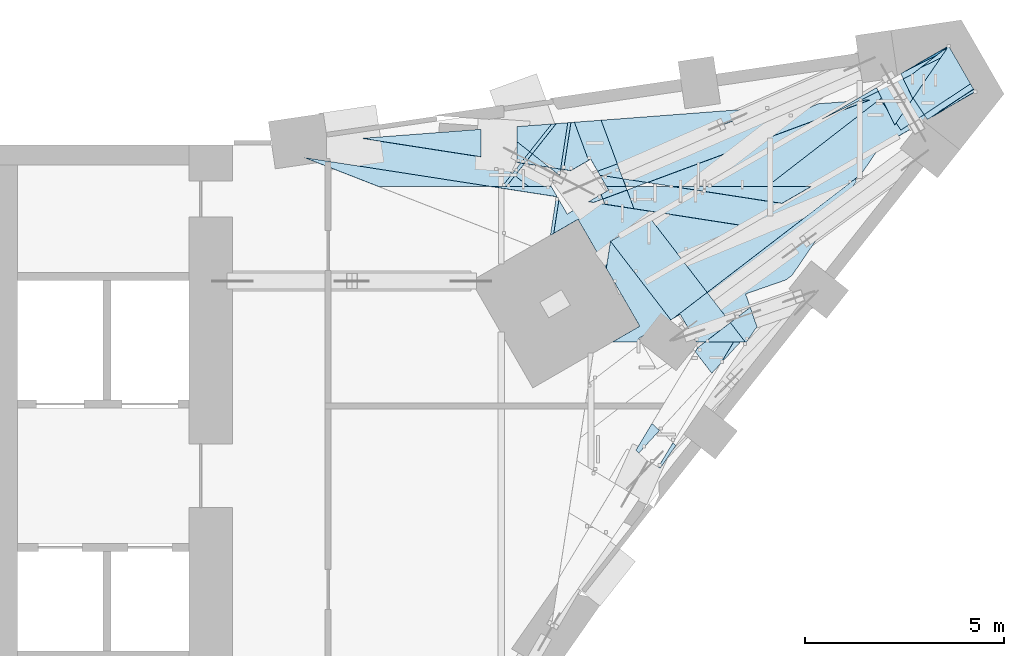
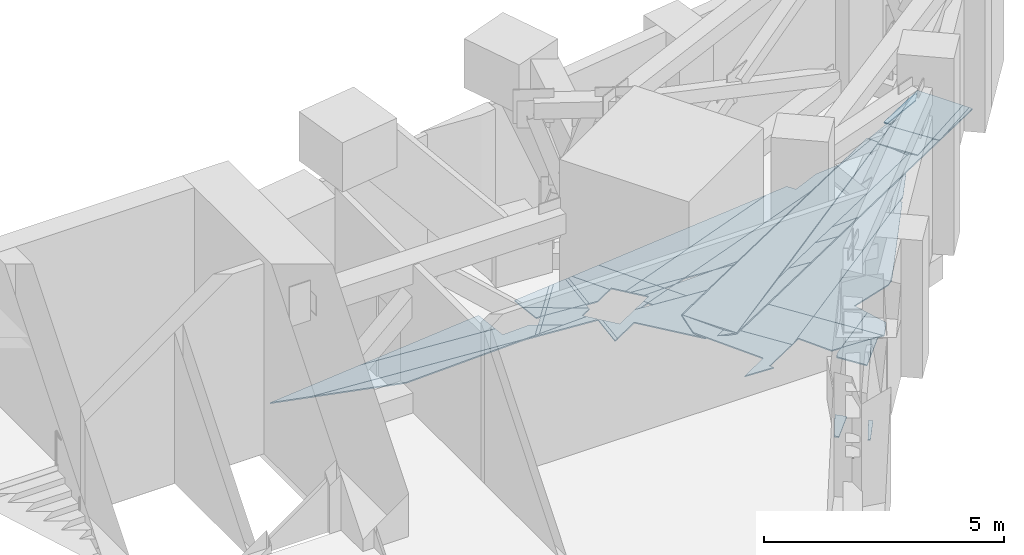
# One storey, part 8 of 22: 53 plates.
"""IFC4 building model written with IfcOpenShell, lengths in metres."""

from ifc_helpers import new_model, si_unit, direction, frame, origin, place, context, subcontext, project, spatial, polyline, outline, extrude, material, layer, layer_set, type_object, element, save


model = new_model("IFC4")

# Units and contexts
model_context = context("Model", 3, precision=1e-05, world=origin(), true_north=direction((0.0, 1.0)))
body_context = subcontext(model_context, "Body", "Model", "MODEL_VIEW")
ifc_project = project(units=[si_unit("LENGTHUNIT", "METRE"), si_unit("AREAUNIT", "SQUARE_METRE"), si_unit("VOLUMEUNIT", "CUBIC_METRE"), si_unit("PLANEANGLEUNIT", "RADIAN"), si_unit("MASSUNIT", "GRAM", prefix="KILO")], contexts=[model_context])

# Site, building, storey
site_placement = place(None, origin())
site = spatial("IfcSite", under=ifc_project, at=site_placement, CompositionType="ELEMENT")
building_placement = place(site_placement, origin())
building = spatial("IfcBuilding", under=site, at=building_placement, Name="Calabash Gate Tower", CompositionType="ELEMENT")
storey_placement = place(building_placement, frame((0.0, 0.0, 86.800048828125)))
storey = spatial("IfcBuildingStorey", under=building, at=storey_placement, Name="L18", CompositionType="ELEMENT", Elevation=86.800048828125)

# Plates
ifc_material_1 = material(Name="Dark tinted laminated glass", Category="glass")
ifc_layer_1 = layer(ifc_material_1, 0.030029296875)
ifc_layer_set_1 = layer_set([ifc_layer_1], Name="Dark glass soffit plate 30")
plate_type_1 = type_object("IfcPlateType", Name="Dark glass soffit plate 30", PredefinedType="SHEET", material=ifc_layer_set_1)
plate_1_placement = place(storey_placement, frame((33.780029296875, 18.318115234375, -0.990966796875), z_axis=(0.040025968743, -0.018386784747, 0.999029453006), x_axis=(-0.793096971147, -0.608747900837, 0.02057152359)))
element("IfcPlate", 1, at=plate_1_placement, inside=storey, type_object=plate_type_1, Name="Dark glass soffit SOF-Z2-NE-01", PredefinedType="SHEET", context=body_context, shape_type="SweptSolid", body=[
    extrude(outline(polyline([(0.0, 0.0), (4.870849609375, 0.0), (4.87255859375, -2.348876953125), (-1.135986328125, -1.55615234375), (-1.62548828125, -1.45654296875), (-1.42529296875, -0.468017578125), (0.0, 0.0)])), origin(), (0.0, 0.0, -1.0), 0.030029296875),
])
plate_2_placement = place(storey_placement, frame((36.64697265625, 20.39111328125, -1.02001953125), z_axis=(-0.035488038065, 0.112131555327, 0.993059471258), x_axis=(-0.865728230395, -0.499864129999, 0.025504561094)))
element("IfcPlate", 2, at=plate_2_placement, inside=storey, type_object=plate_type_1, Name="Dark glass soffit SOF-Z2-NE-02", PredefinedType="SHEET", context=body_context, shape_type="SweptSolid", body=[
    extrude(outline(polyline([(0.0, 0.0), (4.761474609375, 0.0), (7.745849609375, -1.737060546875), (8.26611328125, -2.15869140625), (2.377685546875, -1.15087890625), (0.0, 0.0)])), origin(), (0.0, 0.0, -1.0), 0.030029296875),
])
plate_3_placement = place(storey_placement, frame((32.77294921875, 19.68896484375, -0.926025390625), z_axis=(0.021818760042, 0.013154446736, 0.999675398438), x_axis=(0.895376574315, 0.444585211199, -0.025392521555)))
element("IfcPlate", 3, at=plate_3_placement, inside=storey, type_object=plate_type_1, Name="Dark glass soffit SOF-Z2-NE-03", PredefinedType="SHEET", context=body_context, shape_type="SweptSolid", body=[
    extrude(outline(polyline([(0.0, 0.0), (1.61279296875, 0.0), (1.612548828125, -0.18505859375), (-6.009521484375, -1.70849609375), (-6.0927734375, -0.38330078125), (0.0, 0.0)])), origin(), (0.0, 0.0, -1.0), 0.030029296875),
])
plate_4_placement = place(storey_placement, frame((28.152099609375, 15.487060546875, -0.77001953125), z_axis=(-0.035440927832, 0.112432057807, 0.993027176371), x_axis=(-0.929502553598, 0.361299140722, -0.074080589683)))
element("IfcPlate", 4, at=plate_4_placement, inside=storey, type_object=plate_type_1, Name="Dark glass soffit SOF-Z2-NE-04", PredefinedType="SHEET", context=body_context, shape_type="SweptSolid", body=[
    extrude(outline(polyline([(0.0, 0.0), (0.6865234375, 0.0), (2.00732421875, -1.05615234375), (2.44580078125, -0.504638671875), (2.636474609375, -1.342041015625), (2.309326171875, -1.079833984375), (1.92138671875, -1.568359375), (-1.922607421875, -2.41845703125), (0.0, 0.0)])), origin(), (0.0, 0.0, -1.0), 0.030029296875),
])
plate_5_placement = place(storey_placement, frame((32.073974609375, 19.81494140625, -1.119140625), z_axis=(-0.035375061612, 0.11181288547, 0.993099432916), x_axis=(0.916518182792, 0.399801815531, -0.012366442895)))
element("IfcPlate", 5, at=plate_5_placement, inside=storey, type_object=plate_type_1, Name="Dark glass soffit SOF-Z2-NE-05", PredefinedType="SHEET", context=body_context, shape_type="SweptSolid", body=[
    extrude(outline(polyline([(0.0, 0.0), (0.69287109375, 0.0), (1.927978515625, -0.43408203125), (-4.036376953125, -0.096923828125), (-4.560791015625, 0.238037109375), (-4.537841796875, 0.637939453125), (-0.466796875, 0.407470703125), (0.000244140625, 0.243896484375), (0.0, 0.0)])), origin(), (0.0, 0.0, -1.0), 0.030029296875),
])
plate_6_placement = place(storey_placement, frame((24.241943359375, 18.759033203125, -1.279052734375), z_axis=(-0.035624847168, 0.111511659327, 0.993124372925), x_axis=(-5.0580191e-05, -0.99375537517, 0.111580696195)))
element("IfcPlate", 6, at=plate_6_placement, inside=storey, type_object=plate_type_1, Name="Dark glass soffit SOF-Z2-NE-07", PredefinedType="SHEET", context=body_context, shape_type="SweptSolid", body=[
    extrude(outline(polyline([(0.0, 0.0), (0.30810546875, 0.0), (0.310546875, 0.638427734375), (0.4267578125, 0.783447265625), (0.7548828125, 0.525634765625), (0.753662109375, 0.25830078125), (0.003662109375, -4.436767578125), (-0.31640625, -5.245361328125), (-0.478759765625, -2.995849609375), (0.0, 0.0)])), origin(), (0.0, 0.0, -1.0), 0.030029296875),
])
plate_7_placement = place(storey_placement, frame((33.633056640625, 18.19091796875, -0.988037109375), z_axis=(0.040584423811, -0.019107182046, 0.998993403451), x_axis=(0.584660520504, -0.810327994063, -0.039250704473)))
element("IfcPlate", 7, at=plate_7_placement, inside=storey, type_object=plate_type_1, Name="Dark glass soffit SOF-Z2-NE-08", PredefinedType="SHEET", context=body_context, shape_type="SweptSolid", body=[
    extrude(outline(polyline([(0.0, 0.0), (0.052978515625, 0.0), (1.02197265625, -2.688720703125), (1.027587890625, -2.8876953125), (0.719970703125, -3.91455078125), (1.06005859375, -4.015869140625), (1.078369140625, -4.646240234375), (0.123291015625, -4.675048828125), (-0.01708984375, 0.193603515625), (0.0, 0.0)])), origin(), (0.0, 0.0, -1.0), 0.030029296875),
])
plate_8_placement = place(storey_placement, frame((29.00390625, 14.6650390625, -0.866943359375), z_axis=(0.04005432783, -0.018506483214, 0.999026106216), x_axis=(-0.608555141672, 0.792548638904, 0.039080615598)))
element("IfcPlate", 8, at=plate_8_placement, inside=storey, type_object=plate_type_1, Name="Dark glass soffit SOF-Z2-NE-10", PredefinedType="SHEET", context=body_context, shape_type="SweptSolid", body=[
    extrude(outline(polyline([(0.0, 0.0), (2.4892578125, 0.0), (2.337646484375, -1.14404296875), (-0.01123046875, -1.1435546875), (-0.010009765625, -0.08203125), (0.0, 0.0)])), origin(), (0.0, 0.0, -1.0), 0.030029296875),
])
plate_9_placement = place(storey_placement, frame((31.48388671875, 19.9990234375, -1.16015625), z_axis=(-0.03549200787, 0.111933902523, 0.993081627483), x_axis=(-0.937570259475, -0.347749413566, 0.005688049981)))
element("IfcPlate", 9, at=plate_9_placement, inside=storey, type_object=plate_type_1, Name="Dark glass soffit SOF-Z2-NE-11", PredefinedType="SHEET", context=body_context, shape_type="SweptSolid", body=[
    extrude(outline(polyline([(0.0, 0.0), (4.07763671875, 0.0), (4.076904296875, -1.17822265625), (0.0, 0.0)])), origin(), (0.0, 0.0, -1.0), 0.030029296875),
])
plate_10_placement = place(storey_placement, frame((28.077880859375, 17.45703125, -0.9951171875), z_axis=(-0.035548680524, 0.111777299006, 0.993097239317), x_axis=(-0.345776937719, 0.930973305556, -0.117162339021)))
element("IfcPlate", 10, at=plate_10_placement, inside=storey, type_object=plate_type_1, Name="Dark glass soffit SOF-Z2-NE-12", PredefinedType="SHEET", context=body_context, shape_type="SweptSolid", body=[
    extrude(outline(polyline([(0.0, 0.0), (0.502685546875, 0.0), (0.502685546875, -0.247314453125), (0.17431640625, -1.126708984375), (-1.17529296875, -3.53076171875), (-1.3642578125, -2.4287109375), (0.0, 0.0)])), origin(), (0.0, 0.0, -1.0), 0.030029296875),
])
plate_11_placement = place(storey_placement, frame((28.201904296875, 14.202880859375, -0.843994140625), z_axis=(0.039909885637, -0.01853964478, 0.999031272083), x_axis=(0.500497978465, -0.864986958711, -0.036046287081)))
element("IfcPlate", 11, at=plate_11_placement, inside=storey, type_object=plate_type_1, Name="Dark glass soffit SOF-Z2-NE-14", PredefinedType="SHEET", context=body_context, shape_type="SweptSolid", body=[
    extrude(outline(polyline([(0.0, 0.0), (0.103759765625, 0.0), (-0.25244140625, -0.61474609375), (-0.251220703125, 0.171142578125), (-1.932373046875, 0.172607421875), (-2.4658203125, 0.602783203125), (0.00244140625, 0.926025390625), (0.0, 0.0)])), origin(), (0.0, 0.0, -1.0), 0.030029296875),
])
plate_12_placement = place(storey_placement, frame((35.98193359375, 21.5419921875, -1.02001953125), z_axis=(0.021866863905, 0.012961336901, 0.999676869798), x_axis=(0.500146564627, -0.865940720491, 0.000287205358)))
element("IfcPlate", 12, at=plate_12_placement, inside=storey, type_object=plate_type_1, Name="Dark glass soffit SOF-Z2-NE-15", PredefinedType="SHEET", context=body_context, shape_type="SweptSolid", body=[
    extrude(outline(polyline([(0.0, 0.0), (1.095947265625, 0.0), (1.183349609375, -1.398681640625), (0.198486328125, -1.46044921875), (0.0, 0.0)])), origin(), (0.0, 0.0, -1.0), 0.030029296875),
])
plate_13_placement = place(storey_placement, frame((24.241943359375, 19.449951171875, -1.35693359375), z_axis=(-0.035699011793, 0.111940088282, 0.993073510468), x_axis=(0.0, -0.993706912041, 0.112011485845)))
element("IfcPlate", 13, at=plate_13_placement, inside=storey, type_object=plate_type_1, Name="Dark glass soffit SOF-Z2-NE-18", PredefinedType="SHEET", context=body_context, shape_type="SweptSolid", body=[
    extrude(outline(polyline([(0.0, 0.0), (0.6953125, 0.0), (0.216552734375, -2.995849609375), (0.0, 0.0)])), origin(), (0.0, 0.0, -1.0), 0.030029296875),
])
plate_14_placement = place(storey_placement, frame((21.673095703125, 18.010986328125, -1.287109375), z_axis=(-0.035505394232, 0.112332550604, 0.993036134818), x_axis=(-0.929136516857, 0.362216068491, -0.074194695023)))
element("IfcPlate", 14, at=plate_14_placement, inside=storey, type_object=plate_type_1, Name="Dark glass soffit SOF-Z2-NE-19", PredefinedType="SHEET", context=body_context, shape_type="SweptSolid", body=[
    extrude(outline(polyline([(0.0, 0.0), (2.00732421875, 0.0), (-2.634033203125, -1.03125), (0.0, 0.0)])), origin(), (0.0, 0.0, -1.0), 0.030029296875),
])
plate_15_placement = place(storey_placement, frame((26.991943359375, 18.700927734375, -1.174072265625), z_axis=(-0.035898561858, 0.111986616028, 0.993061071177), x_axis=(-0.867288699419, -0.497191549549, 0.024715883887)))
element("IfcPlate", 15, at=plate_15_placement, inside=storey, type_object=plate_type_1, Name="Dark glass soffit SOF-Z2-NE-23", PredefinedType="SHEET", context=body_context, shape_type="SweptSolid", body=[
    extrude(outline(polyline([(0.0, 0.0), (0.062255859375, 0.0), (-0.109130859375, -1.014404296875), (-0.715576171875, -0.72216796875), (-0.51953125, 0.439453125), (0.000732421875, 0.351806640625), (0.0, 0.0)])), origin(), (0.0, 0.0, -1.0), 0.030029296875),
])
plate_16_placement = place(storey_placement, frame((31.794921875, 17.590087890625, -0.876953125), z_axis=(-0.0353323479, 0.113687089055, 0.992888146255), x_axis=(-0.986878332594, 0.152658433862, -0.052598091481)))
element("IfcPlate", 16, at=plate_16_placement, inside=storey, type_object=plate_type_1, Name="Dark glass soffit SOF-Z2-NE-24", PredefinedType="SHEET", context=body_context, shape_type="SweptSolid", body=[
    extrude(outline(polyline([(0.0, 0.0), (2.757080078125, 0.0), (-0.655029296875, -0.530517578125), (0.0, 0.0)])), origin(), (0.0, 0.0, -1.0), 0.030029296875),
])
plate_17_placement = place(storey_placement, frame((34.81689453125, 20.639892578125, -0.983154296875), z_axis=(0.021805589913, 0.012658799179, 0.999682084991), x_axis=(0.553488633393, -0.832855330741, -0.00152668314)))
element("IfcPlate", 17, at=plate_17_placement, inside=storey, type_object=plate_type_1, Name="Dark glass soffit SOF-Z2-NE-25", PredefinedType="SHEET", context=body_context, shape_type="SweptSolid", body=[
    extrude(outline(polyline([(0.0, 0.0), (0.98681640625, 0.0), (0.986572265625, -0.7001953125), (0.050048828125, -0.699951171875), (0.0, 0.0)])), origin(), (0.0, 0.0, -1.0), 0.030029296875),
])
plate_18_placement = place(storey_placement, frame((26.4169921875, 19.614990234375, -1.298095703125), z_axis=(-0.035475049494, 0.112183149837, 0.993054108171), x_axis=(-0.151787548489, -0.982756181336, 0.105597481835)))
element("IfcPlate", 18, at=plate_18_placement, inside=storey, type_object=plate_type_1, Name="Dark glass soffit SOF-Z2-NE-26", PredefinedType="SHEET", context=body_context, shape_type="SweptSolid", body=[
    extrude(outline(polyline([(0.0, 0.0), (1.185546875, 0.0), (1.18359375, -0.285888671875), (0.907958984375, -0.763671875), (0.065185546875, -0.28564453125), (0.0, 0.0)])), origin(), (0.0, 0.0, -1.0), 0.030029296875),
])
plate_19_placement = place(storey_placement, frame((34.6259765625, 19.556884765625, -1.001953125), z_axis=(0.039658207557, -0.018377920754, 0.999044282603), x_axis=(-0.438117022502, 0.898277903033, 0.033915829878)))
element("IfcPlate", 19, at=plate_19_placement, inside=storey, type_object=plate_type_1, Name="Dark glass soffit SOF-Z2-NE-27", PredefinedType="SHEET", context=body_context, shape_type="SweptSolid", body=[
    extrude(outline(polyline([(0.0, 0.0), (1.008544921875, 0.0), (1.00830078125, -0.7001953125), (0.397705078125, -0.700927734375), (0.0, 0.0)])), origin(), (0.0, 0.0, -1.0), 0.030029296875),
])
plate_20_placement = place(storey_placement, frame((25.955078125, 18.493896484375, -1.18798828125), z_axis=(-0.03575466658, 0.111402290468, 0.993131981912), x_axis=(0.780988785897, -0.616916260324, 0.097318261651)))
element("IfcPlate", 20, at=plate_20_placement, inside=storey, type_object=plate_type_1, Name="Dark glass soffit SOF-Z2-NE-32", PredefinedType="SHEET", context=body_context, shape_type="SweptSolid", body=[
    extrude(outline(polyline([(0.0, 0.0), (0.328857421875, 0.0), (0.35107421875, -0.038818359375), (0.244140625, -0.310791015625), (0.341552734375, -0.349365234375), (-0.1025390625, -0.700927734375), (-0.548095703125, -0.700927734375), (-0.5498046875, -0.310546875), (0.0, 0.0)])), origin(), (0.0, 0.0, -1.0), 0.030029296875),
])
plate_21_placement = place(storey_placement, frame((30.5830078125, 14.113037109375, -0.941162109375), z_axis=(0.04045017056, -0.018641393124, 0.999007648701), x_axis=(-0.515665476802, -0.856776040324, 0.004892112196)))
element("IfcPlate", 21, at=plate_21_placement, inside=storey, type_object=plate_type_1, Name="Dark glass soffit SOF-Z2-NE-33", PredefinedType="SHEET", context=body_context, shape_type="SweptSolid", body=[
    extrude(outline(polyline([(0.0, 0.0), (0.64208984375, 0.0), (0.959716796875, -0.064453125), (0.7099609375, -0.700927734375), (0.5947265625, -0.701416015625), (0.36767578125, -0.611328125), (0.0, 0.0)])), origin(), (0.0, 0.0, -1.0), 0.030029296875),
])
plate_22_placement = place(storey_placement, frame((26.489990234375, 18.410888671875, -1.16015625), z_axis=(-0.034535767998, 0.11185228509, 0.993124537532), x_axis=(-0.98650966073, 0.15529288109, -0.051795852821)))
element("IfcPlate", 22, at=plate_22_placement, inside=storey, type_object=plate_type_1, Name="Dark glass soffit SOF-Z2-NE-34", PredefinedType="SHEET", context=body_context, shape_type="SweptSolid", body=[
    extrude(outline(polyline([(0.0, 0.0), (0.180419921875, 0.0), (0.18994140625, -1.202880859375), (0.104248046875, -1.223388671875), (-0.401123046875, -0.327392578125), (0.0, 0.0)])), origin(), (0.0, 0.0, -1.0), 0.030029296875),
])
plate_23_placement = place(storey_placement, frame((26.012939453125, 19.583984375, -1.30908203125), z_axis=(-0.035846495361, 0.112380889439, 0.993018410937), x_axis=(-0.619612500318, -0.782115778841, 0.066145732576)))
element("IfcPlate", 23, at=plate_23_placement, inside=storey, type_object=plate_type_1, Name="Dark glass soffit SOF-Z2-NE-36", PredefinedType="SHEET", context=body_context, shape_type="SweptSolid", body=[
    extrude(outline(polyline([(0.0, 0.0), (0.892333984375, 0.0), (0.8896484375, -0.407470703125), (0.589599609375, -0.644775390625), (0.0, 0.0)])), origin(), (0.0, 0.0, -1.0), 0.030029296875),
])
plate_24_placement = place(storey_placement, frame((35.0810546875, 20.221923828125, -1.008056640625), z_axis=(0.040231018824, -0.01859324603, 0.999017395407), x_axis=(-0.439093752166, 0.897782762854, 0.034391678221)))
element("IfcPlate", 24, at=plate_24_placement, inside=storey, type_object=plate_type_1, Name="Dark glass soffit SOF-Z2-NE-37", PredefinedType="SHEET", context=body_context, shape_type="SweptSolid", body=[
    extrude(outline(polyline([(0.0, 0.0), (0.610595703125, 0.0), (0.608642578125, -1.07177734375), (0.0, 0.0)])), origin(), (0.0, 0.0, -1.0), 0.030029296875),
])
plate_25_placement = place(storey_placement, frame((31.1669921875, 14.492919921875, -0.95703125), z_axis=(0.039563789347, -0.017652616831, 0.999061105084), x_axis=(-0.56330588667, -0.826212472836, 0.007708941119)))
element("IfcPlate", 25, at=plate_25_placement, inside=storey, type_object=plate_type_1, Name="Dark glass soffit SOF-Z2-NE-38", PredefinedType="SHEET", context=body_context, shape_type="SweptSolid", body=[
    extrude(outline(polyline([(0.0, 0.0), (0.459716796875, 0.0), (0.48193359375, -0.0322265625), (0.291259765625, -0.610595703125), (-0.3076171875, -0.41357421875), (0.0, 0.0)])), origin(), (0.0, 0.0, -1.0), 0.030029296875),
])
plate_26_placement = place(storey_placement, frame((29.8701171875, 14.113037109375, -0.912109375), z_axis=(0.040049825419, -0.017307408248, 0.99904777919), x_axis=(0.792971278669, 0.608888660407, -0.021240302107)))
element("IfcPlate", 26, at=plate_26_placement, inside=storey, type_object=plate_type_1, Name="Dark glass soffit SOF-Z2-NE-39", PredefinedType="SHEET", context=body_context, shape_type="SweptSolid", body=[
    extrude(outline(polyline([(0.0, 0.0), (0.793212890625, 0.0), (0.79296875, -0.608642578125), (0.0, 0.0)])), origin(), (0.0, 0.0, -1.0), 0.030029296875),
])
plate_27_placement = place(storey_placement, frame((36.60693359375, 20.4580078125, -1.02001953125), z_axis=(0.022328987722, 0.012202322385, 0.999676207397), x_axis=(-0.832802379852, -0.552989595277, 0.025351600093)))
element("IfcPlate", 27, at=plate_27_placement, inside=storey, type_object=plate_type_1, Name="Dark glass soffit SOF-Z2-NE-40", PredefinedType="SHEET", context=body_context, shape_type="SweptSolid", body=[
    extrude(outline(polyline([(0.0, 0.0), (1.251220703125, 0.0), (1.390625, -0.008544921875), (1.390625, -0.155029296875), (-0.010498046875, -0.155029296875), (0.0, 0.0)])), origin(), (0.0, 0.0, -1.0), 0.030029296875),
])
plate_28_placement = place(storey_placement, frame((27.345947265625, 17.570068359375, -1.033935546875), z_axis=(-0.035249265248, 0.11142907698, 0.993147043545), x_axis=(-0.3433470898, 0.931924399006, -0.116746265309)))
element("IfcPlate", 28, at=plate_28_placement, inside=storey, type_object=plate_type_1, Name="Dark glass soffit SOF-Z2-NE-41", PredefinedType="SHEET", context=body_context, shape_type="SweptSolid", body=[
    extrude(outline(polyline([(0.0, 0.0), (0.139404296875, 0.0), (0.1416015625, -0.646484375), (-0.361083984375, -0.647705078125), (0.0, 0.0)])), origin(), (0.0, 0.0, -1.0), 0.030029296875),
])
plate_29_placement = place(storey_placement, frame((26.00390625, 18.010986328125, -1.132080078125), z_axis=(-0.035596731494, 0.112107515888, 0.993058295161), x_axis=(0.497169666231, -0.860010616291, 0.11490893284)))
element("IfcPlate", 29, at=plate_29_placement, inside=storey, type_object=plate_type_1, Name="Dark glass soffit SOF-Z2-NE-42", PredefinedType="SHEET", context=body_context, shape_type="SweptSolid", body=[
    extrude(outline(polyline([(0.0, 0.0), (0.26171875, 0.0), (0.283203125, -0.01708984375), (-0.75390625, -1.302490234375), (0.0, 0.0)])), origin(), (0.0, 0.0, -1.0), 0.030029296875),
])
plate_30_placement = place(storey_placement, frame((35.77587890625, 21.239990234375, -1.01708984375), z_axis=(0.037993076741, -0.015325921008, 0.999160468726), x_axis=(-0.898339398163, -0.438444629998, 0.027434141748)))
element("IfcPlate", 30, at=plate_30_placement, inside=storey, type_object=plate_type_1, Name="Dark glass soffit SOF-Z2-NE-43", PredefinedType="SHEET", context=body_context, shape_type="SweptSolid", body=[
    extrude(outline(polyline([(0.0, 0.0), (1.07177734375, 0.0), (1.072509765625, -0.083740234375), (0.2666015625, -0.14013671875), (-0.24658203125, -0.14013671875), (0.0, 0.0)])), origin(), (0.0, 0.0, -1.0), 0.030029296875),
])
plate_31_placement = place(storey_placement, frame((28.531005859375, 12.06201171875, -0.89697265625), z_axis=(0.037518203749, -0.016762663685, 0.999155342023), x_axis=(0.736830963484, -0.674951697836, -0.03899149701)))
element("IfcPlate", 31, at=plate_31_placement, inside=storey, type_object=plate_type_1, Name="Dark glass soffit SOF-Z2-NE-44", PredefinedType="SHEET", context=body_context, shape_type="SweptSolid", body=[
    extrude(outline(polyline([(0.0, 0.0), (0.25634765625, 0.0), (0.256103515625, -0.77001953125), (0.15576171875, -0.77001953125), (0.0, 0.0)])), origin(), (0.0, 0.0, -1.0), 0.030029296875),
])
plate_32_placement = place(storey_placement, frame((25.14208984375, 18.6201171875, -1.23095703125), z_axis=(-0.034978867194, 0.112943394536, 0.992985532866), x_axis=(-1.228181e-05, 0.993593511619, -0.113012979425)))
element("IfcPlate", 32, at=plate_32_placement, inside=storey, type_object=plate_type_1, Name="Dark glass soffit SOF-Z2-NE-48", PredefinedType="SHEET", context=body_context, shape_type="SweptSolid", body=[
    extrude(outline(polyline([(0.0, 0.0), (0.521240234375, 0.0), (0.266357421875, -0.318115234375), (-0.015625, -0.094970703125), (0.0, 0.0)])), origin(), (0.0, 0.0, -1.0), 0.030029296875),
])
plate_33_placement = place(storey_placement, frame((34.89990234375, 20.9169921875, -0.988037109375), z_axis=(0.021352544455, 0.013467878733, 0.999681291756), x_axis=(0.895281313203, 0.444792771234, -0.025114953487)))
element("IfcPlate", 33, at=plate_33_placement, inside=storey, type_object=plate_type_1, Name="Dark glass soffit SOF-Z2-NE-49", PredefinedType="SHEET", context=body_context, shape_type="SweptSolid", body=[
    extrude(outline(polyline([(0.0, 0.0), (0.85693359375, 0.0), (0.08837890625, -0.153076171875), (-0.13916015625, -0.154296875), (-0.139404296875, -0.009033203125), (0.0, 0.0)])), origin(), (0.0, 0.0, -1.0), 0.030029296875),
])
plate_34_placement = place(storey_placement, frame((26.4951171875, 19.62109375, -1.296142578125), z_axis=(-0.036013180189, 0.112268208216, 0.993025125703), x_axis=(-0.152205586912, -0.982693377975, 0.105580226351)))
element("IfcPlate", 34, at=plate_34_placement, inside=storey, type_object=plate_type_1, Name="Dark glass soffit SOF-Z2-NE-50", PredefinedType="SHEET", context=body_context, shape_type="SweptSolid", body=[
    extrude(outline(polyline([(0.0, 0.0), (1.202880859375, 0.0), (1.203125, -0.075927734375), (0.017578125, -0.076416015625), (0.0, 0.0)])), origin(), (0.0, 0.0, -1.0), 0.030029296875),
])
plate_35_placement = place(storey_placement, frame((25.33203125, 18.591064453125, -1.220947265625), z_axis=(-0.034893328167, 0.113074534899, 0.992973617578), x_axis=(0.618871251275, 0.782597949397, -0.067370794443)))
element("IfcPlate", 35, at=plate_35_placement, inside=storey, type_object=plate_type_1, Name="Dark glass soffit SOF-Z2-NE-52", PredefinedType="SHEET", context=body_context, shape_type="SweptSolid", body=[
    extrude(outline(polyline([(0.0, 0.0), (0.311767578125, 0.0), (0.307373046875, -0.551513671875), (0.0, 0.0)])), origin(), (0.0, 0.0, -1.0), 0.030029296875),
])
plate_36_placement = place(storey_placement, frame((34.172119140625, 20.49609375, -0.967041015625), z_axis=(0.022758344547, 0.011348334408, 0.999676584231), x_axis=(0.446243238463, -0.894911711917, 0.0)))
element("IfcPlate", 36, at=plate_36_placement, inside=storey, type_object=plate_type_1, Name="Dark glass soffit SOF-Z2-NE-53", PredefinedType="SHEET", context=body_context, shape_type="SweptSolid", body=[
    extrude(outline(polyline([(0.0, 0.0), (0.1005859375, 0.0), (0.097900390625, -1.61279296875), (0.0, 0.0)])), origin(), (0.0, 0.0, -1.0), 0.030029296875),
])
plate_37_placement = place(storey_placement, frame((24.8720703125, 18.010986328125, -1.172119140625), z_axis=(-0.035121662288, 0.114263702019, 0.992829429076), x_axis=(0.619940256407, 0.781693985122, -0.068033757142)))
element("IfcPlate", 37, at=plate_37_placement, inside=storey, type_object=plate_type_1, Name="Dark glass soffit SOF-Z2-NE-54", PredefinedType="SHEET", context=body_context, shape_type="SweptSolid", body=[
    extrude(outline(polyline([(0.0, 0.0), (0.3515625, 0.0), (0.349365234375, -0.445556640625), (0.0, 0.0)])), origin(), (0.0, 0.0, -1.0), 0.030029296875),
])
plate_38_placement = place(storey_placement, frame((26.125, 19.593017578125, -1.30615234375), z_axis=(-0.0350971083, 0.111884600533, 0.99310121798), x_axis=(-0.619318822862, -0.78233931519, 0.066252483405)))
element("IfcPlate", 38, at=plate_38_placement, inside=storey, type_object=plate_type_1, Name="Dark glass soffit SOF-Z2-NE-55", PredefinedType="SHEET", context=body_context, shape_type="SweptSolid", body=[
    extrude(outline(polyline([(0.0, 0.0), (0.968994140625, 0.0), (0.96875, -0.0830078125), (0.076171875, -0.082763671875), (0.0, 0.0)])), origin(), (0.0, 0.0, -1.0), 0.030029296875),
])
plate_39_placement = place(storey_placement, frame((28.4130859375, 18.113037109375, -1.05712890625), z_axis=(-0.035243705803, 0.110806486522, 0.993216896627), x_axis=(-0.938450345895, -0.34537456116, 0.005230754504)))
element("IfcPlate", 39, at=plate_39_placement, inside=storey, type_object=plate_type_1, Name="Dark glass soffit SOF-Z2-NE-56", PredefinedType="SHEET", context=body_context, shape_type="SweptSolid", body=[
    extrude(outline(polyline([(0.0, 0.0), (0.29541015625, 0.0), (0.54296875, -0.091796875), (0.543212890625, -0.30322265625), (0.0, 0.0)])), origin(), (0.0, 0.0, -1.0), 0.030029296875),
])
plate_40_placement = place(storey_placement, frame((25.97998046875, 16.7890625, -0.9951171875), z_axis=(-0.038774094251, 0.112903752875, 0.992849088332), x_axis=(0.15189706088, 0.982715401679, -0.1058192903)))
element("IfcPlate", 40, at=plate_40_placement, inside=storey, type_object=plate_type_1, Name="Dark glass soffit SOF-Z2-NE-57", PredefinedType="SHEET", context=body_context, shape_type="SweptSolid", body=[
    extrude(outline(polyline([(0.0, 0.0), (0.987060546875, 0.0), (0.986083984375, -0.022705078125), (0.919677734375, -0.075439453125), (0.06103515625, -0.07568359375), (0.0, 0.0)])), origin(), (0.0, 0.0, -1.0), 0.030029296875),
])
plate_41_placement = place(storey_placement, frame((36.64697265625, 20.39111328125, -1.02001953125), z_axis=(0.021956963835, 0.013142124339, 0.999672534537), x_axis=(-0.865641758631, -0.500009680075, 0.025586432848)))
element("IfcPlate", 41, at=plate_41_placement, inside=storey, type_object=plate_type_1, Name="Dark glass soffit SOF-Z2-NE-59", PredefinedType="SHEET", context=body_context, shape_type="SweptSolid", body=[
    extrude(outline(polyline([(0.0, 0.0), (1.25, 0.0), (0.001220703125, -0.077880859375), (0.0, 0.0)])), origin(), (0.0, 0.0, -1.0), 0.030029296875),
])
plate_42_placement = place(storey_placement, frame((30.5830078125, 14.113037109375, -0.941162109375), z_axis=(0.039734760272, -0.018150352736, 0.999045401131), x_axis=(0.999210002214, 0.0, -0.039741306906)))
element("IfcPlate", 42, at=plate_42_placement, inside=storey, type_object=plate_type_1, Name="Dark glass soffit SOF-Z2-NE-61", PredefinedType="SHEET", context=body_context, shape_type="SweptSolid", body=[
    extrude(outline(polyline([(0.0, 0.0), (0.172119140625, 0.0), (-0.330810546875, -0.550048828125), (0.0, 0.0)])), origin(), (0.0, 0.0, -1.0), 0.030029296875),
])
ifc_material_2 = material(Name="Dark bronze anodised aluminium panel", Category="aluminium")
ifc_layer_2 = layer(ifc_material_2, 0.030029296875)
ifc_layer_set_2 = layer_set([ifc_layer_2], Name="Dark soffit panel plate 30")
plate_type_2 = type_object("IfcPlateType", Name="Dark soffit panel plate 30", PredefinedType="SHEET", material=ifc_layer_set_2)
plate_43_placement = place(storey_placement, frame((29.639892578125, 14.113037109375, -0.903076171875), z_axis=(0.040456015614, -0.018509297728, 0.999009868169), x_axis=(-0.499309778006, 0.865664509512, 0.036258827334)))
element("IfcPlate", 43, at=plate_43_placement, inside=storey, type_object=plate_type_2, Name="Dark soffit panel SOF-Z2-NE-21", PredefinedType="SHEET", context=body_context, shape_type="SweptSolid", body=[
    extrude(outline(polyline([(0.0, 0.0), (0.797119140625, 0.0), (0.797607421875, 0.192626953125), (0.935546875, -0.85986328125), (-0.011962890625, -0.98583984375), (-0.115234375, -0.199462890625), (0.0, 0.0)])), origin(), (0.0, 0.0, -1.0), 0.030029296875),
])
plate_44_placement = place(storey_placement, frame((27.22412109375, 18.297119140625, -1.12109375), z_axis=(-0.035778681842, 0.110548397416, 0.993226528922), x_axis=(-0.496128901448, 0.860774882752, -0.113678117382)))
element("IfcPlate", 44, at=plate_44_placement, inside=storey, type_object=plate_type_2, Name="Dark soffit panel SOF-Z2-NE-45", PredefinedType="SHEET", context=body_context, shape_type="SweptSolid", body=[
    extrude(outline(polyline([(0.0, 0.0), (0.1171875, 0.0), (0.029541015625, -0.520263671875), (-0.365478515625, -0.453857421875), (0.0, 0.0)])), origin(), (0.0, 0.0, -1.0), 0.030029296875),
])
plate_45_placement = place(storey_placement, frame((27.22412109375, 18.297119140625, -1.12109375), z_axis=(-0.035527157348, 0.114381614257, 0.992801423957), x_axis=(0.986811049332, -0.152975804886, 0.052937283992)))
element("IfcPlate", 45, at=plate_45_placement, inside=storey, type_object=plate_type_2, Name="Dark soffit panel SOF-Z2-NE-46", PredefinedType="SHEET", context=body_context, shape_type="SweptSolid", body=[
    extrude(outline(polyline([(0.0, 0.0), (0.58251953125, 0.0), (0.68603515625, -0.1845703125), (0.20947265625, -0.2587890625), (0.0, 0.0)])), origin(), (0.0, 0.0, -1.0), 0.030029296875),
])
plate_46_placement = place(storey_placement, frame((27.44189453125, 17.9208984375, -1.070068359375), z_axis=(-0.035952834908, 0.1131872355, 0.992922979582), x_axis=(-0.49658812486, 0.860194981402, -0.11603804643)))
element("IfcPlate", 46, at=plate_46_placement, inside=storey, type_object=plate_type_2, Name="Dark soffit panel SOF-Z2-NE-47", PredefinedType="SHEET", context=body_context, shape_type="SweptSolid", body=[
    extrude(outline(polyline([(0.0, 0.0), (0.104736328125, 0.0), (-0.13671875, -0.417724609375), (-0.227783203125, -0.40234375), (-0.12109375, 0.235107421875), (-0.000244140625, 0.21435546875), (0.0, 0.0)])), origin(), (0.0, 0.0, -1.0), 0.030029296875),
])
plate_47_placement = place(storey_placement, frame((28.68994140625, 10.968994140625, -0.923095703125), z_axis=(0.042142894522, -0.019418955042, 0.998922860198), x_axis=(0.516062237027, 0.856535781207, -0.005120842457)))
element("IfcPlate", 47, at=plate_47_placement, inside=storey, type_object=plate_type_2, Name="Dark soffit panel SOF-Z2-NE-58", PredefinedType="SHEET", context=body_context, shape_type="SweptSolid", body=[
    extrude(outline(polyline([(0.0, 0.0), (0.71337890625, 0.0), (0.69287109375, -0.09765625), (0.0009765625, -0.057861328125), (0.0, 0.0)])), origin(), (0.0, 0.0, -1.0), 0.030029296875),
])
plate_48_placement = place(storey_placement, frame((35.98193359375, 21.5419921875, -1.02001953125), z_axis=(0.023019210612, 0.011303037455, 0.999671124564), x_axis=(-0.790388058864, -0.612091217678, 0.025120860786)))
element("IfcPlate", 48, at=plate_48_placement, inside=storey, type_object=plate_type_2, Name="Dark soffit panel SOF-Z2-NE-62", PredefinedType="SHEET", context=body_context, shape_type="SweptSolid", body=[
    extrude(outline(polyline([(0.0, 0.0), (0.3984375, 0.0), (1.238525390625, -0.16845703125), (0.0, 0.0)])), origin(), (0.0, 0.0, -1.0), 0.030029296875),
])
plate_49_placement = place(storey_placement, frame((24.76708984375, 18.010986328125, -1.176025390625), z_axis=(-0.035102177136, 0.113551465716, 0.992911829819), x_axis=(0.61785798869, 0.78336594612, -0.067744374465)))
element("IfcPlate", 49, at=plate_49_placement, inside=storey, type_object=plate_type_2, Name="Dark soffit panel SOF-Z2-NE-63", PredefinedType="SHEET", context=body_context, shape_type="SweptSolid", body=[
    extrude(outline(polyline([(0.0, 0.0), (0.417236328125, 0.0), (0.416259765625, -0.083740234375), (0.064697265625, -0.082763671875), (0.0, 0.0)])), origin(), (0.0, 0.0, -1.0), 0.030029296875),
])
plate_50_placement = place(storey_placement, frame((25.14208984375, 18.452880859375, -1.213134765625), z_axis=(-0.037409674328, 0.111326917669, 0.993079469967), x_axis=(0.00078429892, 0.993778064349, -0.111375687172)))
element("IfcPlate", 50, at=plate_50_placement, inside=storey, type_object=plate_type_2, Name="Dark soffit panel SOF-Z2-NE-64", PredefinedType="SHEET", context=body_context, shape_type="SweptSolid", body=[
    extrude(outline(polyline([(0.0, 0.0), (0.032470703125, 0.0), (0.152587890625, -0.094970703125), (0.138427734375, -0.18994140625), (-0.16796875, 0.052001953125), (-0.115478515625, 0.1171875), (0.0, 0.025146484375), (0.0, 0.0)])), origin(), (0.0, 0.0, -1.0), 0.030029296875),
])
plate_51_placement = place(storey_placement, frame((26.94189453125, 17.633056640625, -1.05615234375), z_axis=(-0.03875884806, 0.115826036479, 0.992513012998), x_axis=(0.866373532298, 0.498801225423, -0.024377039407)))
element("IfcPlate", 51, at=plate_51_placement, inside=storey, type_object=plate_type_2, Name="Dark soffit panel SOF-Z2-NE-65", PredefinedType="SHEET", context=body_context, shape_type="SweptSolid", body=[
    extrude(outline(polyline([(0.0, 0.0), (0.36279296875, 0.0), (0.341796875, -0.12060546875), (0.096923828125, -0.078369140625), (0.0, 0.0)])), origin(), (0.0, 0.0, -1.0), 0.030029296875),
])
plate_52_placement = place(storey_placement, frame((25.237060546875, 18.60498046875, -1.22607421875), z_axis=(-0.035825310069, 0.113351502978, 0.99290884976), x_axis=(0.620085391801, 0.781679804118, -0.066863971683)))
element("IfcPlate", 52, at=plate_52_placement, inside=storey, type_object=plate_type_2, Name="Dark soffit panel SOF-Z2-NE-66", PredefinedType="SHEET", context=body_context, shape_type="SweptSolid", body=[
    extrude(outline(polyline([(0.0, 0.0), (0.359375, 0.0), (0.359375, -0.0830078125), (0.047607421875, -0.08349609375), (0.0, 0.0)])), origin(), (0.0, 0.0, -1.0), 0.030029296875),
])
plate_53_placement = place(storey_placement, frame((26.237060546875, 18.449951171875, -1.173095703125), z_axis=(-0.034944497248, 0.11230935335, 0.993058654492), x_axis=(-0.155400238179, -0.982189854898, 0.105611812355)))
element("IfcPlate", 53, at=plate_53_placement, inside=storey, type_object=plate_type_2, Name="Dark soffit panel SOF-Z2-NE-67", PredefinedType="SHEET", context=body_context, shape_type="SweptSolid", body=[
    extrude(outline(polyline([(0.0, 0.0), (0.161865234375, 0.0), (-0.0009765625, -0.285888671875), (0.0, 0.0)])), origin(), (0.0, 0.0, -1.0), 0.030029296875),
])

save(model, "model.ifc")
